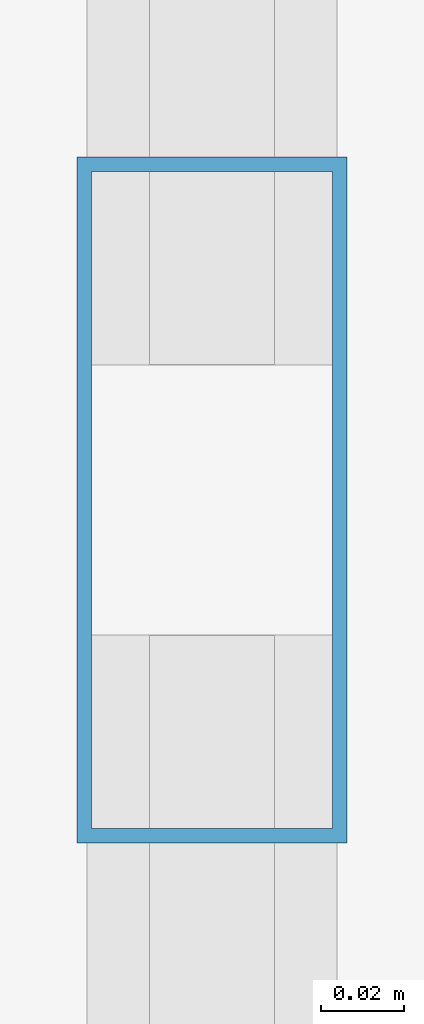
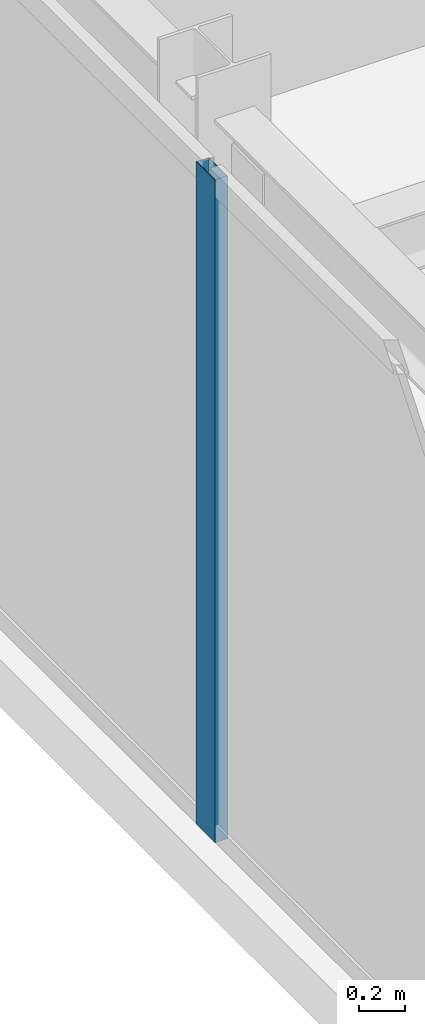
# One storey, part 9 of 25: 1 member, 1 element without a shape of its own.
"""IFC4 building model written with IfcOpenShell, lengths in metres."""

from ifc_helpers import new_model, si_unit, direction, frame, origin, origin_2d, place, context, subcontext, project, spatial, hollow_rectangle, extrude, source, transform, mapped, material, layer, layer_set, material_profile, profile_set, type_object, type_shapes, element, aggregate, save


model = new_model("IFC4")

# Units and contexts
model_context = context("Model", 3, precision=1e-05, world=origin(), true_north=direction((0.0, 1.0)))
body_context = subcontext(model_context, "Body", "Model", "MODEL_VIEW")
ifc_project = project(units=[si_unit("LENGTHUNIT", "METRE"), si_unit("AREAUNIT", "SQUARE_METRE"), si_unit("VOLUMEUNIT", "CUBIC_METRE"), si_unit("PLANEANGLEUNIT", "RADIAN"), si_unit("MASSUNIT", "GRAM", prefix="KILO")], contexts=[model_context])

# Site, building, storey
site_placement = place(None, origin())
site = spatial("IfcSite", under=ifc_project, at=site_placement, CompositionType="ELEMENT")
building_placement = place(site_placement, origin())
building = spatial("IfcBuilding", under=site, at=building_placement, Name="Varnel Quay Broadcast Tower", CompositionType="ELEMENT")
storey_placement = place(building_placement, frame((0.0, 0.0, 226.39990234375)))
storey = spatial("IfcBuildingStorey", under=building, at=storey_placement, Name="L56", CompositionType="ELEMENT", Elevation=226.39990234375)

# Curtain wall, member
ifc_material = material(Name="Anodised Bronze Aluminium 6063-T6", Category="aluminium")
ifc_layer = layer(ifc_material, 0.18994140625, Name="Anodised Bronze Aluminium 6063-T6")
ifc_layer_set = layer_set([ifc_layer], Name="Anodised Bronze Aluminium 6063-T6")
curtain_wall_type = type_object("IfcCurtainWallType", Name="CW_UpperTower", PredefinedType="NOTDEFINED", material=ifc_layer_set)
curtain_wall_placement = place(storey_placement, origin())
curtain_wall = element("IfcCurtainWall", 1, at=curtain_wall_placement, inside=storey, type_object=curtain_wall_type, Name="L56 West Unitised Curtain Wall", PredefinedType="NOTDEFINED")
ifc_material_profile = material_profile(ifc_material, hollow_rectangle(XDim=0.06494140625, YDim=0.1650390625, WallThickness=0.00341796875, at=origin_2d()), Name="ALU65X165X3.5")
ifc_profile_set = profile_set([ifc_material_profile], Name="Anodised Bronze Aluminium 6063-T6")
member_type = type_object("IfcMemberType", Name="Mull_CWS-03", PredefinedType="MULLION", material=ifc_profile_set)
shared_shape = source(origin(), body_context, "Body", "SweptSolid", [
    extrude(hollow_rectangle(XDim=0.06494140625, YDim=0.1650390625, WallThickness=0.00341796875, at=origin_2d()), origin(), (0.0, 0.0, 1.0), 3.550048828125),
])
type_shapes(member_type, [shared_shape])
member_placement = place(storey_placement, frame((9.64990234375, 28.5, 0.0), z_axis=(0.0, 0.0, 1.0), x_axis=(-1.0, 0.0, 0.0)))
member = element("IfcMember", 2, at=member_placement, type_object=member_type, Name="CWS-03 mullion 2", PredefinedType="MULLION", context=body_context, shape_type="MappedRepresentation", body=[
    mapped(shared_shape, transform((0.0, 0.0, 0.0), x_axis=(1.0, 0.0, 0.0), y_axis=(0.0, 1.0, 0.0), z_axis=(0.0, 0.0, 1.0), scale=1.0)),
])
aggregate(curtain_wall, [member])

save(model, "model.ifc")
